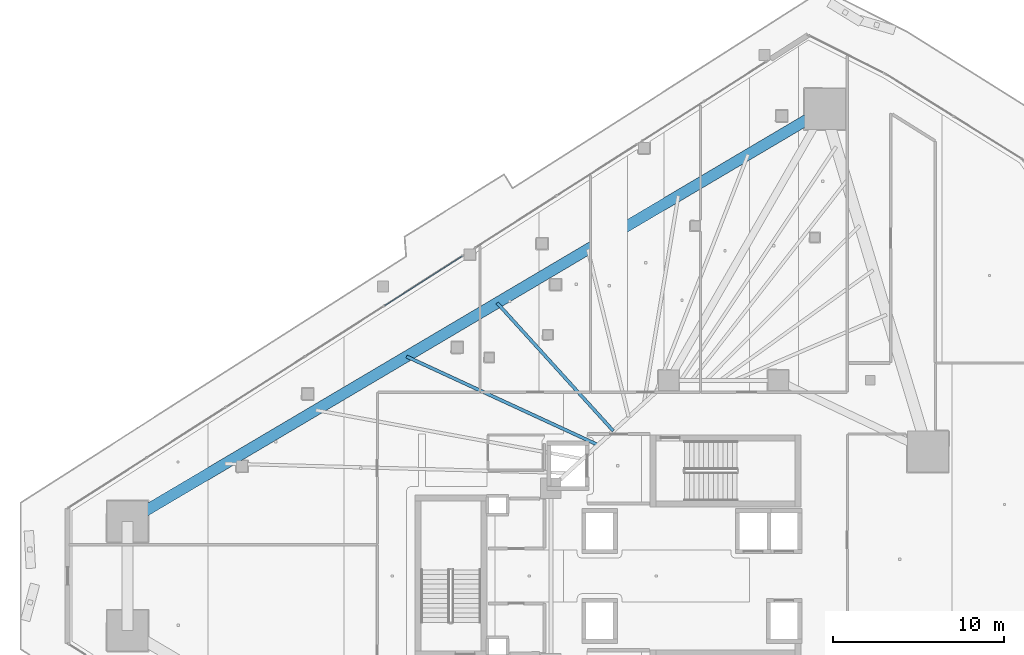
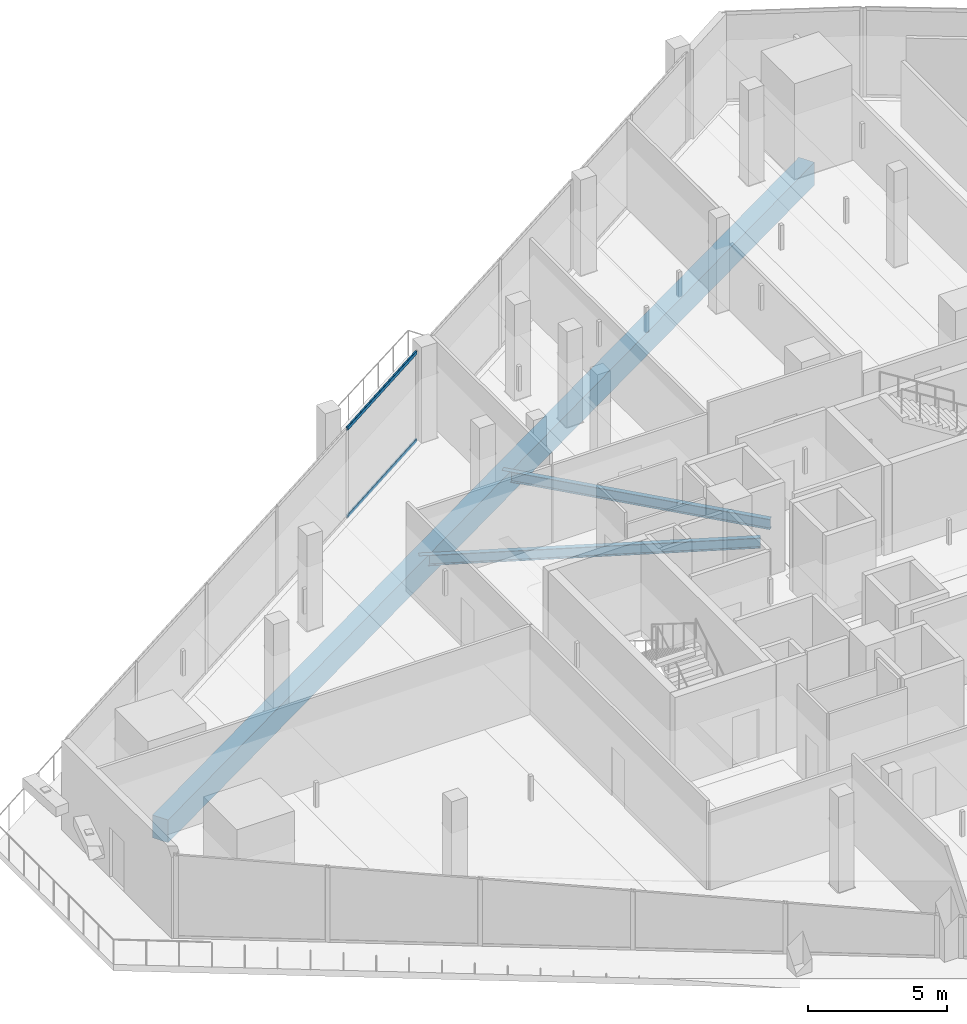
# One storey, part 17 of 45: 3 beams, 2 members, 1 element without a shape of its own.
"""IFC4 building model written with IfcOpenShell, lengths in metres."""

from ifc_helpers import new_model, si_unit, direction, frame, origin, origin_2d, place, context, subcontext, project, spatial, rectangle, hollow_rectangle, i_section, extrude, material, layer, layer_set, material_profile, profile_set, type_object, element, aggregate, save


model = new_model("IFC4")

# Units and contexts
model_context = context("Model", 3, precision=1e-05, world=origin(), true_north=direction((0.0, 1.0)))
body_context = subcontext(model_context, "Body", "Model", "MODEL_VIEW")
ifc_project = project(units=[si_unit("LENGTHUNIT", "METRE"), si_unit("AREAUNIT", "SQUARE_METRE"), si_unit("VOLUMEUNIT", "CUBIC_METRE"), si_unit("PLANEANGLEUNIT", "RADIAN"), si_unit("MASSUNIT", "GRAM", prefix="KILO")], contexts=[model_context])

# Site, building, storey
site_placement = place(None, origin())
site = spatial("IfcSite", under=ifc_project, at=site_placement, CompositionType="ELEMENT")
building_placement = place(site_placement, origin())
building = spatial("IfcBuilding", under=site, at=building_placement, Name="Qorvath Tower", CompositionType="ELEMENT")
storey_placement = place(building_placement, frame((0.0, 0.0, 91.199951171875)))
storey = spatial("IfcBuildingStorey", under=building, at=storey_placement, Name="L20", CompositionType="ELEMENT", Elevation=91.199951171875)

# Beams
ifc_material_1 = material(Name="Steel ASTM A992 Grade 50", Category="steel")
ifc_material_profile_1 = material_profile(ifc_material_1, i_section(OverallWidth=0.18994140625, OverallDepth=0.45703125, WebThickness=0.009033203125, FlangeThickness=0.014404296875, FilletRadius=0.011962890625, at=origin_2d()), Name="W18x50")
ifc_profile_set_1 = profile_set([ifc_material_profile_1], Name="Steel ASTM A992 Grade 50")
beam_type_1 = type_object("IfcBeamType", Name="BM-FJ2", PredefinedType="JOIST", material=ifc_profile_set_1)
beam_1_placement = place(storey_placement, frame((-27.739990234375, 7.669921875, -0.508544921875), z_axis=(-0.907881281747, 0.419227358665, 0.0), x_axis=(-0.419227358665, -0.907881281747, 0.0)))
element("IfcBeam", 1, at=beam_1_placement, inside=storey, type_object=beam_type_1, Name="Composite Floor Joist NW3 L20", PredefinedType="JOIST", context=body_context, shape_type="SweptSolid", body=[
    extrude(i_section(OverallWidth=0.18994140625, OverallDepth=0.45703125, WebThickness=0.009033203125, FlangeThickness=0.014404296875, FilletRadius=0.011962890625, at=origin_2d()), origin(), (0.0, 0.0, 1.0), 12.353515625),
])
beam_2_placement = place(storey_placement, frame((-26.843017578125, 8.489013671875, -0.508544921875), z_axis=(-0.672128980215, 0.740434084815, 0.0), x_axis=(-0.740434084815, -0.672128980215, 0.0)))
element("IfcBeam", 2, at=beam_2_placement, inside=storey, type_object=beam_type_1, Name="Composite Floor Joist NW4 L20", PredefinedType="JOIST", context=body_context, shape_type="SweptSolid", body=[
    extrude(i_section(OverallWidth=0.18994140625, OverallDepth=0.45703125, WebThickness=0.009033203125, FlangeThickness=0.014404296875, FilletRadius=0.011962890625, at=origin_2d()), origin(), (0.0, 0.0, 1.0), 10.1259765625),
])
ifc_material_2 = material(Name="Concrete C50/60", Category="concrete")
ifc_material_profile_2 = material_profile(ifc_material_2, rectangle(XDim=0.64990234375, YDim=1.0, at=origin_2d()), Name="RCB 1000x650")
ifc_profile_set_2 = profile_set([ifc_material_profile_2], Name="Concrete C50/60")
beam_type_2 = type_object("IfcBeamType", Name="BM-RCB1", PredefinedType="SPANDREL", material=ifc_profile_set_2)
beam_3_placement = place(storey_placement, frame((-14.46435546875, 27.330810546875, -0.780029296875), z_axis=(-0.860777360917, -0.508981664633, 0.0), x_axis=(0.508981664633, -0.860777360917, 0.0)))
element("IfcBeam", 3, at=beam_3_placement, inside=storey, type_object=beam_type_2, Name="Perimeter Loggia Frame Beam MC6-MC1 L20", PredefinedType="SPANDREL", context=body_context, shape_type="SweptSolid", body=[
    extrude(rectangle(XDim=0.64990234375, YDim=1.0, at=origin_2d()), origin(), (0.0, 0.0, 1.0), 47.420654296875),
])

# Curtain wall, members
ifc_material_3 = material(Name="Anodised aluminium and triple low-E glass", Category="aluminium")
ifc_layer = layer(ifc_material_3, 0.179931640625)
ifc_layer_set = layer_set([ifc_layer], Name="CW-SYS-2")
curtain_wall_type = type_object("IfcCurtainWallType", Name="CW-SYS-2", PredefinedType="NOTDEFINED", material=ifc_layer_set)
curtain_wall_placement = place(storey_placement, origin())
curtain_wall = element("IfcCurtainWall", 4, at=curtain_wall_placement, inside=storey, type_object=curtain_wall_type, Name="Curtain Wall CW-2 CW-T-L20-16.4", PredefinedType="NOTDEFINED")
ifc_material_4 = material(Name="Anodised aluminium 6063-T6", Category="aluminium")
ifc_material_profile_3 = material_profile(ifc_material_4, hollow_rectangle(XDim=0.06494140625, YDim=0.159912109375, WallThickness=0.00341796875, InnerFilletRadius=0.00341796875, OuterFilletRadius=0.007080078125, at=origin_2d()), Name="CWT 160x65")
ifc_profile_set_3 = profile_set([ifc_material_profile_3], Name="Anodised aluminium 6063-T6")
member_type = type_object("IfcMemberType", Name="CWT-160", PredefinedType="USERDEFINED", material=ifc_profile_set_3)
member_1_placement = place(storey_placement, frame((-35.67626953125, 18.732177734375, 0.032470703125), z_axis=(-0.842629048845, -0.538494462407, 0.0), x_axis=(0.538494462407, -0.842629048845, 0.0)))
member_1 = element("IfcMember", 5, at=member_1_placement, type_object=member_type, Name="CW-2 transom 1.1", ObjectType="TRANSOM", PredefinedType="USERDEFINED", context=body_context, shape_type="SweptSolid", body=[
    extrude(hollow_rectangle(XDim=0.06494140625, YDim=0.159912109375, WallThickness=0.00341796875, InnerFilletRadius=0.00341796875, OuterFilletRadius=0.007080078125, at=origin_2d()), origin(), (0.0, 0.0, 1.0), 5.40234375),
])
member_2_placement = place(storey_placement, frame((-35.67626953125, 18.732177734375, 3.8876953125), z_axis=(-0.842629048845, -0.538494462407, 0.0), x_axis=(0.538494462407, -0.842629048845, 0.0)))
member_2 = element("IfcMember", 6, at=member_2_placement, type_object=member_type, Name="CW-2 transom 1.2", ObjectType="TRANSOM", PredefinedType="USERDEFINED", context=body_context, shape_type="SweptSolid", body=[
    extrude(hollow_rectangle(XDim=0.06494140625, YDim=0.159912109375, WallThickness=0.00341796875, InnerFilletRadius=0.00341796875, OuterFilletRadius=0.007080078125, at=origin_2d()), origin(), (0.0, 0.0, 1.0), 5.40234375),
])
aggregate(curtain_wall, [member_1, member_2])

save(model, "model.ifc")
